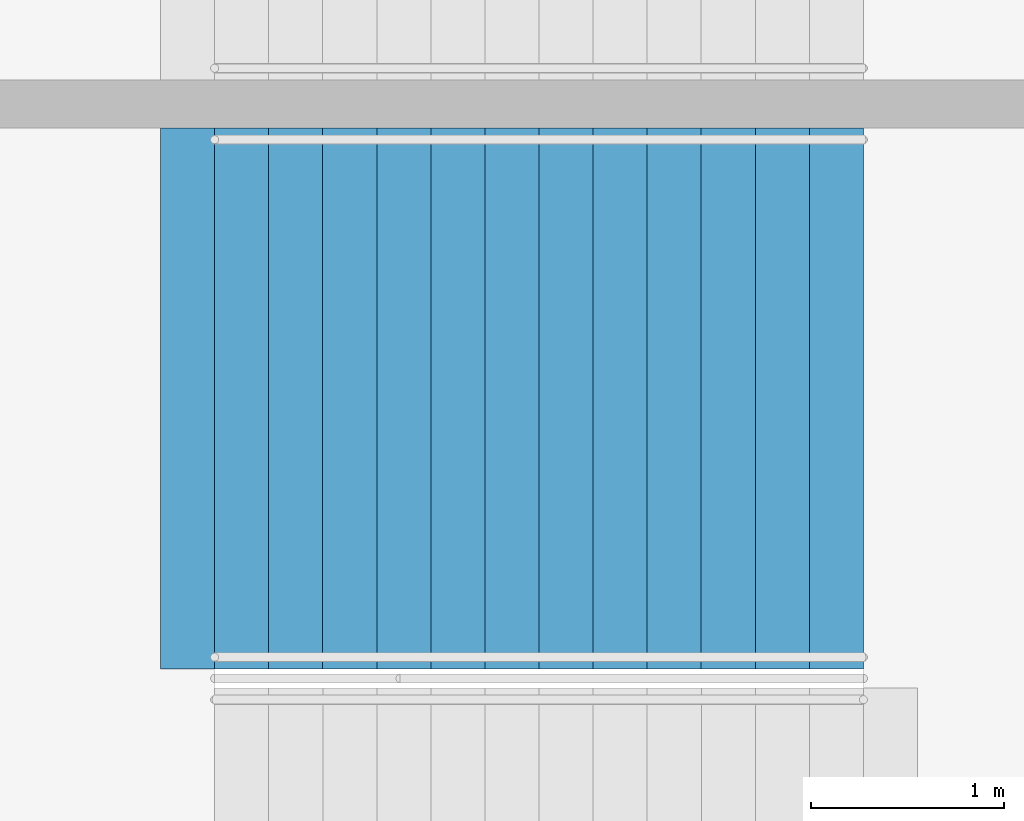
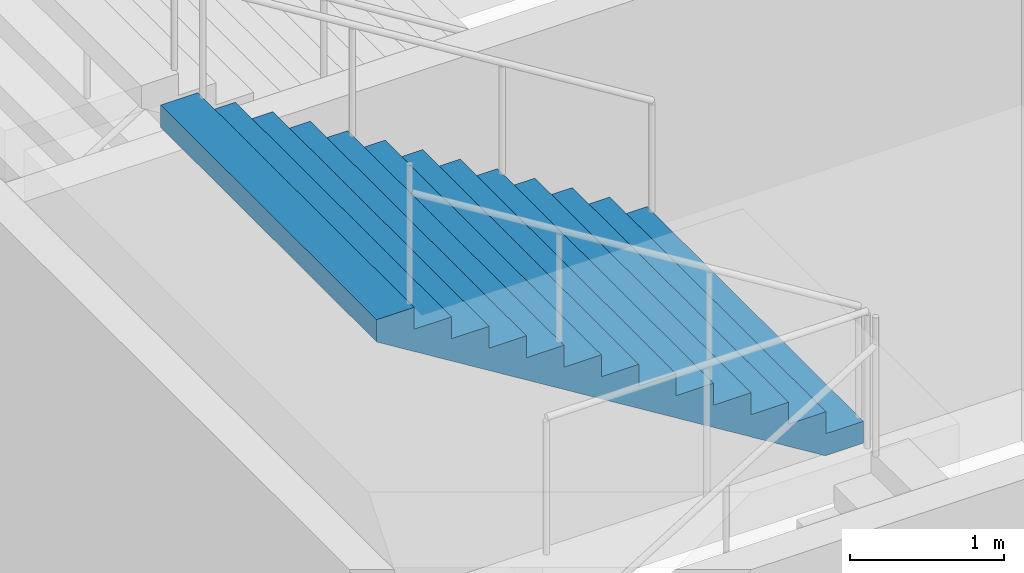
# One storey, part 153 of 177: 1 stair flight, 1 element without a shape of its own.
"""IFC4 building model written with IfcOpenShell, lengths in metres."""

from ifc_helpers import new_model, si_unit, direction, frame, origin, place, context, subcontext, project, spatial, faceted_brep, material, type_object, element, aggregate, save


model = new_model("IFC4")

# Units and contexts
model_context = context("Model", 3, precision=1e-05, world=origin(), true_north=direction((0.0, 1.0)))
body_context = subcontext(model_context, "Body", "Model", "MODEL_VIEW")
ifc_project = project(units=[si_unit("LENGTHUNIT", "METRE"), si_unit("AREAUNIT", "SQUARE_METRE"), si_unit("VOLUMEUNIT", "CUBIC_METRE"), si_unit("PLANEANGLEUNIT", "RADIAN"), si_unit("MASSUNIT", "GRAM", prefix="KILO")], contexts=[model_context])

# Site, building, storey
site_placement = place(None, origin())
site = spatial("IfcSite", under=ifc_project, at=site_placement, CompositionType="ELEMENT")
building_placement = place(site_placement, origin())
building = spatial("IfcBuilding", under=site, at=building_placement, Name="Ogive Plaza Stadium", CompositionType="ELEMENT")
storey_placement = place(building_placement, frame((0.0, 0.0, 18.0)))
storey = spatial("IfcBuildingStorey", under=building, at=storey_placement, Name="L04", CompositionType="ELEMENT", Elevation=18.0)

# Stair, stair flight
ifc_material_1 = material(Name="Concrete C40/50", Category="concrete")
stair_type = type_object("IfcStairType", Name="Exit stair", PredefinedType="STRAIGHT_RUN_STAIR", material=ifc_material_1)
stair_placement = place(storey_placement, origin())
stair = element("IfcStair", 1, at=stair_placement, inside=storey, type_object=stair_type, Name="Exit stair ST02A L04 to L05", PredefinedType="STRAIGHT_RUN_STAIR")
ifc_material_2 = material(Name="Concrete C40/50", Category="concrete")
stair_flight_type = type_object("IfcStairFlightType", Name="Exit stair flight", PredefinedType="STRAIGHT", material=ifc_material_2)
stair_flight_placement = place(storey_placement, frame((79.7099609375, 35.97509765625, 2.25), z_axis=(0.0, 0.0, 1.0), x_axis=(-1.0, 0.0, 0.0)))
stair_flight = element("IfcStairFlight", 2, at=stair_flight_placement, type_object=stair_flight_type, Name="ST02A flight 2", NumberOfRisers=13, NumberOfTreads=12, PredefinedType="STRAIGHT", RiserHeight=0.173076923, TreadLength=0.28, context=body_context, shape_type="Brep", body=[
    faceted_brep([(0.28515625, -1.39990234375, 0.0), (3.639892578125, -1.39990234375, 2.07373046875), (3.639892578125, -1.39990234375, 2.25), (3.360107421875, -1.39990234375, 2.25), (3.360107421875, -1.39990234375, 2.076904296875), (3.080078125, -1.39990234375, 2.076904296875), (3.080078125, -1.39990234375, 1.90380859375), (2.800048828125, -1.39990234375, 1.90380859375), (2.800048828125, -1.39990234375, 1.730712890625), (2.52001953125, -1.39990234375, 1.730712890625), (2.52001953125, -1.39990234375, 1.5576171875), (2.239990234375, -1.39990234375, 1.5576171875), (2.239990234375, -1.39990234375, 1.384521484375), (1.9599609375, -1.39990234375, 1.384521484375), (1.9599609375, -1.39990234375, 1.21142578125), (1.679931640625, -1.39990234375, 1.21142578125), (1.679931640625, -1.39990234375, 1.03857421875), (1.39990234375, -1.39990234375, 1.03857421875), (1.39990234375, -1.39990234375, 0.865478515625), (1.1201171875, -1.39990234375, 0.865478515625), (1.1201171875, -1.39990234375, 0.6923828125), (0.840087890625, -1.39990234375, 0.6923828125), (0.840087890625, -1.39990234375, 0.519287109375), (0.56005859375, -1.39990234375, 0.519287109375), (0.56005859375, -1.39990234375, 0.34619140625), (0.280029296875, -1.39990234375, 0.34619140625), (0.280029296875, -1.39990234375, 0.173095703125), (0.0, -1.39990234375, 0.173095703125), (0.0, -1.39990234375, 0.0), (0.0, 1.39990234375, 0.0), (0.0, 1.39990234375, 0.173095703125), (0.280029296875, 1.39990234375, 0.173095703125), (0.280029296875, 1.39990234375, 0.34619140625), (0.56005859375, 1.39990234375, 0.34619140625), (0.56005859375, 1.39990234375, 0.519287109375), (0.840087890625, 1.39990234375, 0.519287109375), (0.840087890625, 1.39990234375, 0.6923828125), (1.1201171875, 1.39990234375, 0.6923828125), (1.1201171875, 1.39990234375, 0.865478515625), (1.39990234375, 1.39990234375, 0.865478515625), (1.39990234375, 1.39990234375, 1.03857421875), (1.679931640625, 1.39990234375, 1.03857421875), (1.679931640625, 1.39990234375, 1.21142578125), (1.9599609375, 1.39990234375, 1.21142578125), (1.9599609375, 1.39990234375, 1.384521484375), (2.239990234375, 1.39990234375, 1.384521484375), (2.239990234375, 1.39990234375, 1.5576171875), (2.52001953125, 1.39990234375, 1.5576171875), (2.52001953125, 1.39990234375, 1.730712890625), (2.800048828125, 1.39990234375, 1.730712890625), (2.800048828125, 1.39990234375, 1.90380859375), (3.080078125, 1.39990234375, 1.90380859375), (3.080078125, 1.39990234375, 2.076904296875), (3.360107421875, 1.39990234375, 2.076904296875), (3.360107421875, 1.39990234375, 2.25), (3.639892578125, 1.39990234375, 2.25), (3.639892578125, 1.39990234375, 2.07373046875), (0.28515625, 1.39990234375, 0.0), (0.28515625, -1.0888671875, 0.0), (3.639892578125, -1.0888671875, 2.07373046875), (0.28515625, -0.77783203125, 0.0), (3.639892578125, -0.77783203125, 2.07373046875), (0.28515625, -0.466796875, 0.0), (3.639892578125, -0.466796875, 2.07373046875), (0.28515625, -0.155517578125, 0.0), (3.639892578125, -0.155517578125, 2.07373046875), (0.28515625, 0.155517578125, 0.0), (3.639892578125, 0.155517578125, 2.07373046875), (0.28515625, 0.466796875, 0.0), (3.639892578125, 0.466796875, 2.07373046875), (0.28515625, 0.77783203125, 0.0), (3.639892578125, 0.77783203125, 2.07373046875), (0.28515625, 1.0888671875, 0.0), (3.639892578125, 1.0888671875, 2.07373046875), (3.639892578125, -1.0888671875, 2.25), (3.639892578125, -0.77783203125, 2.25), (3.639892578125, -0.466796875, 2.25), (3.639892578125, -0.155517578125, 2.25), (3.639892578125, 0.155517578125, 2.25), (3.639892578125, 0.466796875, 2.25), (3.639892578125, 0.77783203125, 2.25), (3.639892578125, 1.0888671875, 2.25), (3.360107421875, -1.0888671875, 2.25), (3.360107421875, -0.77783203125, 2.25), (3.360107421875, -0.466796875, 2.25), (3.360107421875, -0.155517578125, 2.25), (3.360107421875, 0.155517578125, 2.25), (3.360107421875, 0.466796875, 2.25), (3.360107421875, 0.77783203125, 2.25), (3.360107421875, 1.0888671875, 2.25), (3.360107421875, -1.0888671875, 2.076904296875), (3.360107421875, -0.77783203125, 2.076904296875), (3.360107421875, -0.466796875, 2.076904296875), (3.360107421875, -0.155517578125, 2.076904296875), (3.360107421875, 0.155517578125, 2.076904296875), (3.360107421875, 0.466796875, 2.076904296875), (3.360107421875, 0.77783203125, 2.076904296875), (3.360107421875, 1.0888671875, 2.076904296875), (3.080078125, -1.0888671875, 2.076904296875), (3.080078125, -0.77783203125, 2.076904296875), (3.080078125, -0.466796875, 2.076904296875), (3.080078125, -0.155517578125, 2.076904296875), (3.080078125, 0.155517578125, 2.076904296875), (3.080078125, 0.466796875, 2.076904296875), (3.080078125, 0.77783203125, 2.076904296875), (3.080078125, 1.0888671875, 2.076904296875), (3.080078125, -1.0888671875, 1.90380859375), (3.080078125, -0.77783203125, 1.90380859375), (3.080078125, -0.466796875, 1.90380859375), (3.080078125, -0.155517578125, 1.90380859375), (3.080078125, 0.155517578125, 1.90380859375), (3.080078125, 0.466796875, 1.90380859375), (3.080078125, 0.77783203125, 1.90380859375), (3.080078125, 1.0888671875, 1.90380859375), (2.800048828125, -1.0888671875, 1.90380859375), (2.800048828125, -0.77783203125, 1.90380859375), (2.800048828125, -0.466796875, 1.90380859375), (2.800048828125, -0.155517578125, 1.90380859375), (2.800048828125, 0.155517578125, 1.90380859375), (2.800048828125, 0.466796875, 1.90380859375), (2.800048828125, 0.77783203125, 1.90380859375), (2.800048828125, 1.0888671875, 1.90380859375), (2.800048828125, -1.0888671875, 1.730712890625), (2.800048828125, -0.77783203125, 1.730712890625), (2.800048828125, -0.466796875, 1.730712890625), (2.800048828125, -0.155517578125, 1.730712890625), (2.800048828125, 0.155517578125, 1.730712890625), (2.800048828125, 0.466796875, 1.730712890625), (2.800048828125, 0.77783203125, 1.730712890625), (2.800048828125, 1.0888671875, 1.730712890625), (2.52001953125, -1.0888671875, 1.730712890625), (2.52001953125, -0.77783203125, 1.730712890625), (2.52001953125, -0.466796875, 1.730712890625), (2.52001953125, -0.155517578125, 1.730712890625), (2.52001953125, 0.155517578125, 1.730712890625), (2.52001953125, 0.466796875, 1.730712890625), (2.52001953125, 0.77783203125, 1.730712890625), (2.52001953125, 1.0888671875, 1.730712890625), (2.52001953125, -1.0888671875, 1.5576171875), (2.52001953125, -0.77783203125, 1.5576171875), (2.52001953125, -0.466796875, 1.5576171875), (2.52001953125, -0.155517578125, 1.5576171875), (2.52001953125, 0.155517578125, 1.5576171875), (2.52001953125, 0.466796875, 1.5576171875), (2.52001953125, 0.77783203125, 1.5576171875), (2.52001953125, 1.0888671875, 1.5576171875), (2.239990234375, -1.0888671875, 1.5576171875), (2.239990234375, -0.77783203125, 1.5576171875), (2.239990234375, -0.466796875, 1.5576171875), (2.239990234375, -0.155517578125, 1.5576171875), (2.239990234375, 0.155517578125, 1.5576171875), (2.239990234375, 0.466796875, 1.5576171875), (2.239990234375, 0.77783203125, 1.5576171875), (2.239990234375, 1.0888671875, 1.5576171875), (2.239990234375, -1.0888671875, 1.384521484375), (2.239990234375, -0.77783203125, 1.384521484375), (2.239990234375, -0.466796875, 1.384521484375), (2.239990234375, -0.155517578125, 1.384521484375), (2.239990234375, 0.155517578125, 1.384521484375), (2.239990234375, 0.466796875, 1.384521484375), (2.239990234375, 0.77783203125, 1.384521484375), (2.239990234375, 1.0888671875, 1.384521484375), (1.9599609375, -1.0888671875, 1.384521484375), (1.9599609375, -0.77783203125, 1.384521484375), (1.9599609375, -0.466796875, 1.384521484375), (1.9599609375, -0.155517578125, 1.384521484375), (1.9599609375, 0.155517578125, 1.384521484375), (1.9599609375, 0.466796875, 1.384521484375), (1.9599609375, 0.77783203125, 1.384521484375), (1.9599609375, 1.0888671875, 1.384521484375), (1.9599609375, -1.0888671875, 1.21142578125), (1.9599609375, -0.77783203125, 1.21142578125), (1.9599609375, -0.466796875, 1.21142578125), (1.9599609375, -0.155517578125, 1.21142578125), (1.9599609375, 0.155517578125, 1.21142578125), (1.9599609375, 0.466796875, 1.21142578125), (1.9599609375, 0.77783203125, 1.21142578125), (1.9599609375, 1.0888671875, 1.21142578125), (1.679931640625, -1.0888671875, 1.21142578125), (1.679931640625, -0.77783203125, 1.21142578125), (1.679931640625, -0.466796875, 1.21142578125), (1.679931640625, -0.155517578125, 1.21142578125), (1.679931640625, 0.155517578125, 1.21142578125), (1.679931640625, 0.466796875, 1.21142578125), (1.679931640625, 0.77783203125, 1.21142578125), (1.679931640625, 1.0888671875, 1.21142578125), (1.679931640625, -1.0888671875, 1.03857421875), (1.679931640625, -0.77783203125, 1.03857421875), (1.679931640625, -0.466796875, 1.03857421875), (1.679931640625, -0.155517578125, 1.03857421875), (1.679931640625, 0.155517578125, 1.03857421875), (1.679931640625, 0.466796875, 1.03857421875), (1.679931640625, 0.77783203125, 1.03857421875), (1.679931640625, 1.0888671875, 1.03857421875), (1.39990234375, -1.0888671875, 1.03857421875), (1.39990234375, -0.77783203125, 1.03857421875), (1.39990234375, -0.466796875, 1.03857421875), (1.39990234375, -0.155517578125, 1.03857421875), (1.39990234375, 0.155517578125, 1.03857421875), (1.39990234375, 0.466796875, 1.03857421875), (1.39990234375, 0.77783203125, 1.03857421875), (1.39990234375, 1.0888671875, 1.03857421875), (1.39990234375, -1.0888671875, 0.865478515625), (1.39990234375, -0.77783203125, 0.865478515625), (1.39990234375, -0.466796875, 0.865478515625), (1.39990234375, -0.155517578125, 0.865478515625), (1.39990234375, 0.155517578125, 0.865478515625), (1.39990234375, 0.466796875, 0.865478515625), (1.39990234375, 0.77783203125, 0.865478515625), (1.39990234375, 1.0888671875, 0.865478515625), (1.1201171875, -1.0888671875, 0.865478515625), (1.1201171875, -0.77783203125, 0.865478515625), (1.1201171875, -0.466796875, 0.865478515625), (1.1201171875, -0.155517578125, 0.865478515625), (1.1201171875, 0.155517578125, 0.865478515625), (1.1201171875, 0.466796875, 0.865478515625), (1.1201171875, 0.77783203125, 0.865478515625), (1.1201171875, 1.0888671875, 0.865478515625), (1.1201171875, -1.0888671875, 0.6923828125), (1.1201171875, -0.77783203125, 0.6923828125), (1.1201171875, -0.466796875, 0.6923828125), (1.1201171875, -0.155517578125, 0.6923828125), (1.1201171875, 0.155517578125, 0.6923828125), (1.1201171875, 0.466796875, 0.6923828125), (1.1201171875, 0.77783203125, 0.6923828125), (1.1201171875, 1.0888671875, 0.6923828125), (0.840087890625, -1.0888671875, 0.6923828125), (0.840087890625, -0.77783203125, 0.6923828125), (0.840087890625, -0.466796875, 0.6923828125), (0.840087890625, -0.155517578125, 0.6923828125), (0.840087890625, 0.155517578125, 0.6923828125), (0.840087890625, 0.466796875, 0.6923828125), (0.840087890625, 0.77783203125, 0.6923828125), (0.840087890625, 1.0888671875, 0.6923828125), (0.840087890625, -1.0888671875, 0.519287109375), (0.840087890625, -0.77783203125, 0.519287109375), (0.840087890625, -0.466796875, 0.519287109375), (0.840087890625, -0.155517578125, 0.519287109375), (0.840087890625, 0.155517578125, 0.519287109375), (0.840087890625, 0.466796875, 0.519287109375), (0.840087890625, 0.77783203125, 0.519287109375), (0.840087890625, 1.0888671875, 0.519287109375), (0.56005859375, -1.0888671875, 0.519287109375), (0.56005859375, -0.77783203125, 0.519287109375), (0.56005859375, -0.466796875, 0.519287109375), (0.56005859375, -0.155517578125, 0.519287109375), (0.56005859375, 0.155517578125, 0.519287109375), (0.56005859375, 0.466796875, 0.519287109375), (0.56005859375, 0.77783203125, 0.519287109375), (0.56005859375, 1.0888671875, 0.519287109375), (0.56005859375, -1.0888671875, 0.34619140625), (0.56005859375, -0.77783203125, 0.34619140625), (0.56005859375, -0.466796875, 0.34619140625), (0.56005859375, -0.155517578125, 0.34619140625), (0.56005859375, 0.155517578125, 0.34619140625), (0.56005859375, 0.466796875, 0.34619140625), (0.56005859375, 0.77783203125, 0.34619140625), (0.56005859375, 1.0888671875, 0.34619140625), (0.280029296875, -1.0888671875, 0.34619140625), (0.280029296875, -0.77783203125, 0.34619140625), (0.280029296875, -0.466796875, 0.34619140625), (0.280029296875, -0.155517578125, 0.34619140625), (0.280029296875, 0.155517578125, 0.34619140625), (0.280029296875, 0.466796875, 0.34619140625), (0.280029296875, 0.77783203125, 0.34619140625), (0.280029296875, 1.0888671875, 0.34619140625), (0.280029296875, -1.0888671875, 0.173095703125), (0.280029296875, -0.77783203125, 0.173095703125), (0.280029296875, -0.466796875, 0.173095703125), (0.280029296875, -0.155517578125, 0.173095703125), (0.280029296875, 0.155517578125, 0.173095703125), (0.280029296875, 0.466796875, 0.173095703125), (0.280029296875, 0.77783203125, 0.173095703125), (0.280029296875, 1.0888671875, 0.173095703125), (0.0, -1.0888671875, 0.173095703125), (0.0, -0.77783203125, 0.173095703125), (0.0, -0.466796875, 0.173095703125), (0.0, -0.155517578125, 0.173095703125), (0.0, 0.155517578125, 0.173095703125), (0.0, 0.466796875, 0.173095703125), (0.0, 0.77783203125, 0.173095703125), (0.0, 1.0888671875, 0.173095703125), (0.0, -1.0888671875, 0.0), (0.0, -0.77783203125, 0.0), (0.0, -0.466796875, 0.0), (0.0, -0.155517578125, 0.0), (0.0, 0.155517578125, 0.0), (0.0, 0.466796875, 0.0), (0.0, 0.77783203125, 0.0), (0.0, 1.0888671875, 0.0)], [[[0, 1, 2, 3, 4, 5, 6, 7, 8, 9, 10, 11, 12, 13, 14, 15, 16, 17, 18, 19, 20, 21, 22, 23, 24, 25, 26, 27, 28]], [[29, 30, 31, 32, 33, 34, 35, 36, 37, 38, 39, 40, 41, 42, 43, 44, 45, 46, 47, 48, 49, 50, 51, 52, 53, 54, 55, 56, 57]], [[0, 58, 59, 1]], [[58, 60, 61, 59]], [[60, 62, 63, 61]], [[62, 64, 65, 63]], [[64, 66, 67, 65]], [[66, 68, 69, 67]], [[68, 70, 71, 69]], [[70, 72, 73, 71]], [[72, 57, 56, 73]], [[1, 59, 74, 2]], [[59, 61, 75, 74]], [[61, 63, 76, 75]], [[63, 65, 77, 76]], [[65, 67, 78, 77]], [[67, 69, 79, 78]], [[69, 71, 80, 79]], [[71, 73, 81, 80]], [[73, 56, 55, 81]], [[2, 74, 82, 3]], [[74, 75, 83, 82]], [[75, 76, 84, 83]], [[76, 77, 85, 84]], [[77, 78, 86, 85]], [[78, 79, 87, 86]], [[79, 80, 88, 87]], [[80, 81, 89, 88]], [[81, 55, 54, 89]], [[3, 82, 90, 4]], [[82, 83, 91, 90]], [[83, 84, 92, 91]], [[84, 85, 93, 92]], [[85, 86, 94, 93]], [[86, 87, 95, 94]], [[87, 88, 96, 95]], [[88, 89, 97, 96]], [[89, 54, 53, 97]], [[4, 90, 98, 5]], [[90, 91, 99, 98]], [[91, 92, 100, 99]], [[92, 93, 101, 100]], [[93, 94, 102, 101]], [[94, 95, 103, 102]], [[95, 96, 104, 103]], [[96, 97, 105, 104]], [[97, 53, 52, 105]], [[5, 98, 106, 6]], [[98, 99, 107, 106]], [[99, 100, 108, 107]], [[100, 101, 109, 108]], [[101, 102, 110, 109]], [[102, 103, 111, 110]], [[103, 104, 112, 111]], [[104, 105, 113, 112]], [[105, 52, 51, 113]], [[6, 106, 114, 7]], [[106, 107, 115, 114]], [[107, 108, 116, 115]], [[108, 109, 117, 116]], [[109, 110, 118, 117]], [[110, 111, 119, 118]], [[111, 112, 120, 119]], [[112, 113, 121, 120]], [[113, 51, 50, 121]], [[7, 114, 122, 8]], [[114, 115, 123, 122]], [[115, 116, 124, 123]], [[116, 117, 125, 124]], [[117, 118, 126, 125]], [[118, 119, 127, 126]], [[119, 120, 128, 127]], [[120, 121, 129, 128]], [[121, 50, 49, 129]], [[8, 122, 130, 9]], [[122, 123, 131, 130]], [[123, 124, 132, 131]], [[124, 125, 133, 132]], [[125, 126, 134, 133]], [[126, 127, 135, 134]], [[127, 128, 136, 135]], [[128, 129, 137, 136]], [[129, 49, 48, 137]], [[9, 130, 138, 10]], [[130, 131, 139, 138]], [[131, 132, 140, 139]], [[132, 133, 141, 140]], [[133, 134, 142, 141]], [[134, 135, 143, 142]], [[135, 136, 144, 143]], [[136, 137, 145, 144]], [[137, 48, 47, 145]], [[10, 138, 146, 11]], [[138, 139, 147, 146]], [[139, 140, 148, 147]], [[140, 141, 149, 148]], [[141, 142, 150, 149]], [[142, 143, 151, 150]], [[143, 144, 152, 151]], [[144, 145, 153, 152]], [[145, 47, 46, 153]], [[11, 146, 154, 12]], [[146, 147, 155, 154]], [[147, 148, 156, 155]], [[148, 149, 157, 156]], [[149, 150, 158, 157]], [[150, 151, 159, 158]], [[151, 152, 160, 159]], [[152, 153, 161, 160]], [[153, 46, 45, 161]], [[12, 154, 162, 13]], [[154, 155, 163, 162]], [[155, 156, 164, 163]], [[156, 157, 165, 164]], [[157, 158, 166, 165]], [[158, 159, 167, 166]], [[159, 160, 168, 167]], [[160, 161, 169, 168]], [[161, 45, 44, 169]], [[13, 162, 170, 14]], [[162, 163, 171, 170]], [[163, 164, 172, 171]], [[164, 165, 173, 172]], [[165, 166, 174, 173]], [[166, 167, 175, 174]], [[167, 168, 176, 175]], [[168, 169, 177, 176]], [[169, 44, 43, 177]], [[14, 170, 178, 15]], [[170, 171, 179, 178]], [[171, 172, 180, 179]], [[172, 173, 181, 180]], [[173, 174, 182, 181]], [[174, 175, 183, 182]], [[175, 176, 184, 183]], [[176, 177, 185, 184]], [[177, 43, 42, 185]], [[15, 178, 186, 16]], [[178, 179, 187, 186]], [[179, 180, 188, 187]], [[180, 181, 189, 188]], [[181, 182, 190, 189]], [[182, 183, 191, 190]], [[183, 184, 192, 191]], [[184, 185, 193, 192]], [[185, 42, 41, 193]], [[16, 186, 194, 17]], [[186, 187, 195, 194]], [[187, 188, 196, 195]], [[188, 189, 197, 196]], [[189, 190, 198, 197]], [[190, 191, 199, 198]], [[191, 192, 200, 199]], [[192, 193, 201, 200]], [[193, 41, 40, 201]], [[17, 194, 202, 18]], [[194, 195, 203, 202]], [[195, 196, 204, 203]], [[196, 197, 205, 204]], [[197, 198, 206, 205]], [[198, 199, 207, 206]], [[199, 200, 208, 207]], [[200, 201, 209, 208]], [[201, 40, 39, 209]], [[18, 202, 210, 19]], [[202, 203, 211, 210]], [[203, 204, 212, 211]], [[204, 205, 213, 212]], [[205, 206, 214, 213]], [[206, 207, 215, 214]], [[207, 208, 216, 215]], [[208, 209, 217, 216]], [[209, 39, 38, 217]], [[19, 210, 218, 20]], [[210, 211, 219, 218]], [[211, 212, 220, 219]], [[212, 213, 221, 220]], [[213, 214, 222, 221]], [[214, 215, 223, 222]], [[215, 216, 224, 223]], [[216, 217, 225, 224]], [[217, 38, 37, 225]], [[20, 218, 226, 21]], [[218, 219, 227, 226]], [[219, 220, 228, 227]], [[220, 221, 229, 228]], [[221, 222, 230, 229]], [[222, 223, 231, 230]], [[223, 224, 232, 231]], [[224, 225, 233, 232]], [[225, 37, 36, 233]], [[21, 226, 234, 22]], [[226, 227, 235, 234]], [[227, 228, 236, 235]], [[228, 229, 237, 236]], [[229, 230, 238, 237]], [[230, 231, 239, 238]], [[231, 232, 240, 239]], [[232, 233, 241, 240]], [[233, 36, 35, 241]], [[22, 234, 242, 23]], [[234, 235, 243, 242]], [[235, 236, 244, 243]], [[236, 237, 245, 244]], [[237, 238, 246, 245]], [[238, 239, 247, 246]], [[239, 240, 248, 247]], [[240, 241, 249, 248]], [[241, 35, 34, 249]], [[23, 242, 250, 24]], [[242, 243, 251, 250]], [[243, 244, 252, 251]], [[244, 245, 253, 252]], [[245, 246, 254, 253]], [[246, 247, 255, 254]], [[247, 248, 256, 255]], [[248, 249, 257, 256]], [[249, 34, 33, 257]], [[24, 250, 258, 25]], [[250, 251, 259, 258]], [[251, 252, 260, 259]], [[252, 253, 261, 260]], [[253, 254, 262, 261]], [[254, 255, 263, 262]], [[255, 256, 264, 263]], [[256, 257, 265, 264]], [[257, 33, 32, 265]], [[25, 258, 266, 26]], [[258, 259, 267, 266]], [[259, 260, 268, 267]], [[260, 261, 269, 268]], [[261, 262, 270, 269]], [[262, 263, 271, 270]], [[263, 264, 272, 271]], [[264, 265, 273, 272]], [[265, 32, 31, 273]], [[26, 266, 274, 27]], [[266, 267, 275, 274]], [[267, 268, 276, 275]], [[268, 269, 277, 276]], [[269, 270, 278, 277]], [[270, 271, 279, 278]], [[271, 272, 280, 279]], [[272, 273, 281, 280]], [[273, 31, 30, 281]], [[27, 274, 282, 28]], [[274, 275, 283, 282]], [[275, 276, 284, 283]], [[276, 277, 285, 284]], [[277, 278, 286, 285]], [[278, 279, 287, 286]], [[279, 280, 288, 287]], [[280, 281, 289, 288]], [[281, 30, 29, 289]], [[28, 282, 58, 0]], [[282, 283, 60, 58]], [[283, 284, 62, 60]], [[284, 285, 64, 62]], [[285, 286, 66, 64]], [[286, 287, 68, 66]], [[287, 288, 70, 68]], [[288, 289, 72, 70]], [[289, 29, 57, 72]]]),
])
aggregate(stair, [stair_flight])

save(model, "model.ifc")
